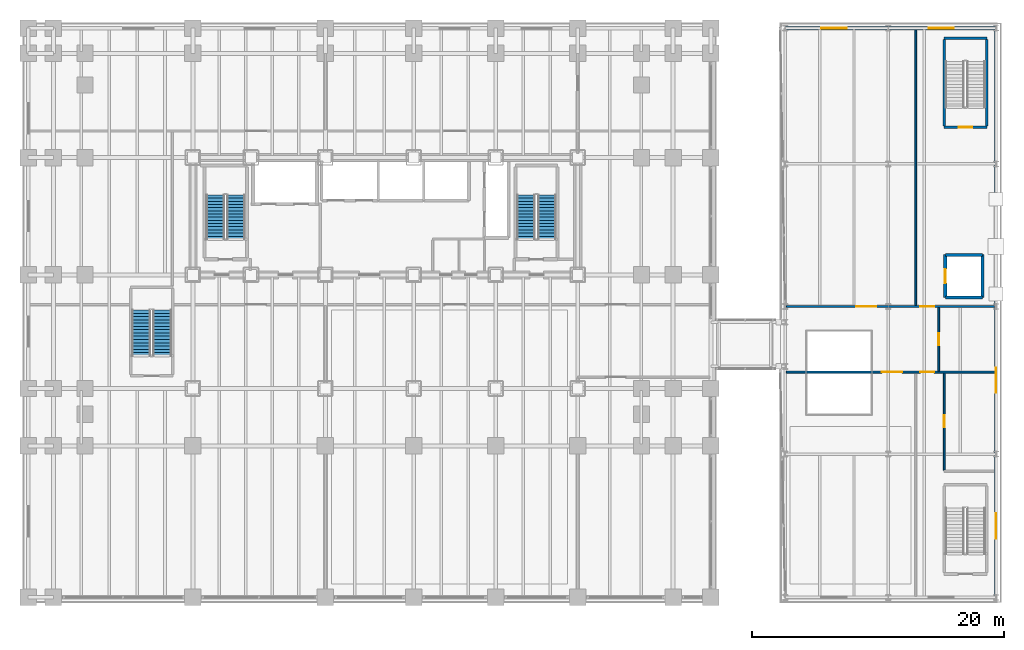
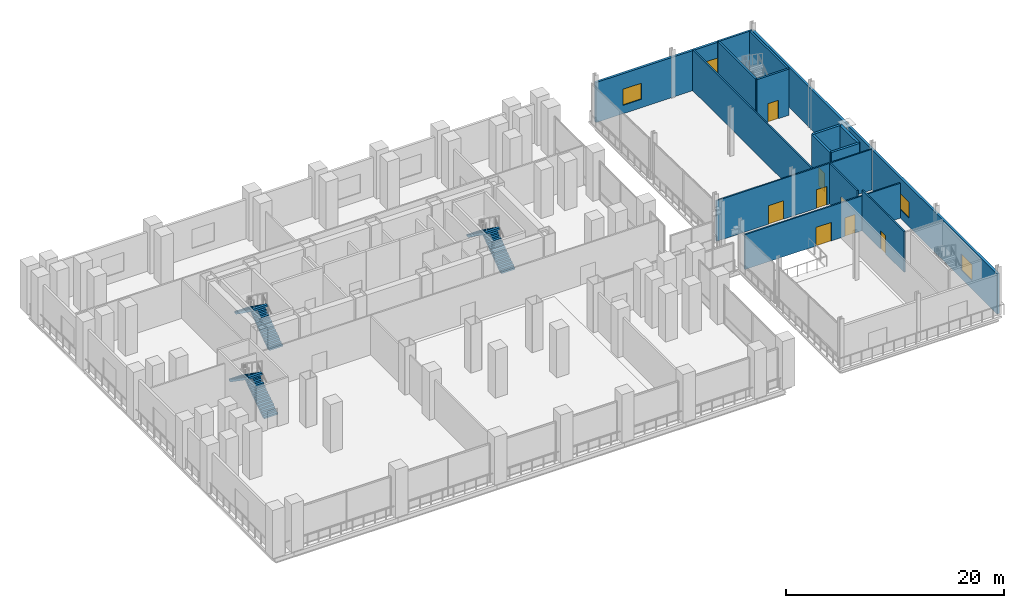
# One storey, part 24 of 31: 15 walls, 8 doors, 6 stair flights, 4 windows, 12 openings, 3 elements without a shape of their own.
"""IFC4 building model written with IfcOpenShell, lengths in metres."""

import ifcopenshell
import ifcopenshell.guid

model = None  # the IFC model being written
_history = None  # IfcOwnerHistory: only IFC2X3 demands one
_inside = {}  # id of a spatial element -> (the spatial element, [elements in it])
_under = {}  # id of a project, library or spatial element -> (it, [spatial elements below it])
_declared = {}  # id of a project -> (the project, [libraries it declares])
_typed = {}  # id of a type object -> (the type object, [elements of that type])
_made_of = {}  # id of a material, layer set ... -> (it, [elements and type objects made of it])


def new_model(schema):
    """Start an empty IFC model of exactly this schema.

    Asked for "IFC4X3", IfcOpenShell would pick the latest addendum, in which some entities
    have other attributes; the version numbers below select the first issue.
    IFC2X3 requires an IfcOwnerHistory on every rooted entity: one is made here for all.
    """
    global model, _history
    if schema == "IFC4X3":
        model = ifcopenshell.file(schema_version=(4, 3, 0, 0))
    else:
        model = ifcopenshell.file(schema=schema)
    _inside.clear()
    _under.clear()
    _declared.clear()
    _typed.clear()
    _made_of.clear()
    _history = None
    if model.schema == "IFC2X3":
        org = make("IfcOrganization", Name="unknown")
        user = make(
            "IfcPersonAndOrganization",
            ThePerson=make("IfcPerson", FamilyName="unknown"),
            TheOrganization=org,
        )
        app = make(
            "IfcApplication",
            ApplicationDeveloper=org,
            Version="unknown",
            ApplicationFullName="unknown",
            ApplicationIdentifier="unknown",
        )
        _history = make(
            "IfcOwnerHistory",
            OwningUser=user,
            OwningApplication=app,
            ChangeAction="ADDED",
            CreationDate=0,
        )
    return model


def make(cls, **values):
    """One entity of the class cls with the attributes given. An attribute that is None is left unset."""
    return model.create_entity(
        cls, **{name: value for name, value in values.items() if value is not None}
    )


def rooted(cls, **values):
    """An entity with a GlobalId (a new one), such as an element, a storey or a relation."""
    return make(cls, GlobalId=ifcopenshell.guid.new(), OwnerHistory=_history, **values)


def si_unit(unit_type, name, prefix=None):
    """IfcSIUnit, for example si_unit("LENGTHUNIT", "METRE", prefix="MILLI")."""
    return make("IfcSIUnit", UnitType=unit_type, Prefix=prefix, Name=name)


def assignment(units):
    """IfcUnitAssignment: the units of a project."""
    return None if units is None else make("IfcUnitAssignment", Units=units)


def point(xyz):
    """IfcCartesianPoint."""
    return None if xyz is None else make("IfcCartesianPoint", Coordinates=xyz)


def direction(xyz):
    """IfcDirection."""
    return None if xyz is None else make("IfcDirection", DirectionRatios=xyz)


def frame(location, z_axis=None, x_axis=None):
    """IfcAxis2Placement3D, a coordinate frame: its origin and axes. An axis left out is left unset."""
    return make(
        "IfcAxis2Placement3D",
        Location=point(location),
        Axis=direction(z_axis),
        RefDirection=direction(x_axis),
    )


def frame_2d(location, x_axis=None):
    """IfcAxis2Placement2D, a coordinate frame in the plane: its origin and x axis."""
    return make(
        "IfcAxis2Placement2D", Location=point(location), RefDirection=direction(x_axis)
    )


def origin():
    """The frame at (0, 0, 0) with its axes left unset."""
    return frame((0.0, 0.0, 0.0))


def place(relative_to, where):
    """IfcLocalPlacement: puts the frame where relative to a parent placement (None: the world)."""
    return make(
        "IfcLocalPlacement", PlacementRelTo=relative_to, RelativePlacement=where
    )


def context(
    kind, dimensions, precision=None, world=None, true_north=None, identifier=None
):
    """IfcGeometricRepresentationContext, for example the 3D "Model" context."""
    return make(
        "IfcGeometricRepresentationContext",
        ContextIdentifier=identifier,
        ContextType=kind,
        CoordinateSpaceDimension=dimensions,
        Precision=precision,
        WorldCoordinateSystem=world,
        TrueNorth=true_north,
    )


def subcontext(parent, identifier, kind, view, scale=None):
    """IfcGeometricRepresentationSubContext, for example "Body" below "Model"."""
    return make(
        "IfcGeometricRepresentationSubContext",
        ContextIdentifier=identifier,
        ContextType=kind,
        ParentContext=parent,
        TargetScale=scale,
        TargetView=view,
    )


def project(units=None, contexts=None):
    """IfcProject with its units and contexts."""
    return rooted(
        "IfcProject",
        Name="project",
        RepresentationContexts=contexts,
        UnitsInContext=assignment(units),
    )


def spatial(cls, under=None, at=None, **own):
    """A site, building, storey or space (cls), placed at a placement, below another one or the project."""
    s = rooted(cls, ObjectPlacement=at, **own)
    if under is not None:
        _under.setdefault(under.id(), (under, []))[1].append(s)
    return s


def polyline(points):
    """IfcPolyline through the points."""
    return make("IfcPolyline", Points=[point(p) for p in points])


def profile(cls, at=None, kind="AREA", **sizes):
    """A parametric profile (cls). Its sizes go by their IFC names, for example OverallWidth=200.0."""
    return make(cls, ProfileType=kind, Position=at, **sizes)


def rectangle(**sizes):
    """IfcRectangleProfileDef."""
    return profile("IfcRectangleProfileDef", **sizes)


def outline(outer, holes=None, kind="AREA"):
    """IfcArbitraryClosedProfileDef: a profile drawn as a closed curve; with holes, ...WithVoids."""
    if holes is None:
        return make("IfcArbitraryClosedProfileDef", ProfileType=kind, OuterCurve=outer)
    return make(
        "IfcArbitraryProfileDefWithVoids",
        ProfileType=kind,
        OuterCurve=outer,
        InnerCurves=holes,
    )


def extrude(swept, where, along, depth):
    """IfcExtrudedAreaSolid: the profile swept, set in the frame where, extruded along a direction by depth."""
    return make(
        "IfcExtrudedAreaSolid",
        SweptArea=swept,
        Position=where,
        ExtrudedDirection=direction(along),
        Depth=depth,
    )


def shape(context_of_items, identifier, shape_type, items):
    """IfcShapeRepresentation: the items that make up one representation, for example the "Body"."""
    return make(
        "IfcShapeRepresentation",
        ContextOfItems=context_of_items,
        RepresentationIdentifier=identifier,
        RepresentationType=shape_type,
        Items=items,
    )


def material(Name=None, Category=None):
    """IfcMaterial."""
    return make("IfcMaterial", Name=Name, Category=Category)


def layer(
    of_material, thickness, ventilated=None, Name=None, Category=None, Priority=None
):
    """IfcMaterialLayer: one layer of a wall or slab, of a material (None: an air gap)."""
    return make(
        "IfcMaterialLayer",
        Material=of_material,
        LayerThickness=thickness,
        IsVentilated=ventilated,
        Name=Name,
        Category=Category,
        Priority=Priority,
    )


def layer_set(layers, Name=None):
    """IfcMaterialLayerSet."""
    return make("IfcMaterialLayerSet", MaterialLayers=layers, LayerSetName=Name)


def made_of(thing, what):
    """Note that an element or type object is made of a material, layer set ...; save() writes the relation."""
    if what is not None:
        _made_of.setdefault(what.id(), (what, []))[1].append(thing)
    return thing


def type_object(cls, material=None, **own):
    """A type object (cls), such as IfcWallType, which elements share."""
    return made_of(rooted(cls, **own), material)


def element(
    cls,
    number,
    at=None,
    inside=None,
    cuts=None,
    type_object=None,
    material=None,
    context=None,
    identifier="Body",
    shape_type=None,
    held_by="IfcProductDefinitionShape",
    body=None,
    shapes=None,
    **own,
):
    """One element of the class cls, such as IfcWall. Its Tag is "e" and its number.

    at: its placement. inside: the storey or other place that contains it. cuts: it is an
    opening in that element (IfcRelVoidsElement). A single representation is given by context,
    identifier, shape_type and body (its items); several are given by shapes. held_by: the class
    of the entity that holds the representations. save() writes the other relations.
    """
    e = rooted(cls, Tag="e%d" % number, ObjectPlacement=at, **own)
    if body is not None:
        shapes = [shape(context, identifier, shape_type, body)]
    if shapes is not None:
        e.Representation = make(held_by, Representations=shapes)
    if inside is not None:
        _inside.setdefault(inside.id(), (inside, []))[1].append(e)
    if cuts is not None:
        rooted(
            "IfcRelVoidsElement", RelatingBuildingElement=cuts, RelatedOpeningElement=e
        )
    if type_object is not None:
        _typed.setdefault(type_object.id(), (type_object, []))[1].append(e)
    return made_of(e, material)


def fill(opening, filler):
    """IfcRelFillsElement: the door or window that sits in an opening."""
    return rooted(
        "IfcRelFillsElement",
        RelatingOpeningElement=opening,
        RelatedBuildingElement=filler,
    )


def aggregate(whole, parts):
    """IfcRelAggregates: a whole, such as a stair, and the parts it consists of."""
    return rooted("IfcRelAggregates", RelatingObject=whole, RelatedObjects=parts)


def save(model, path):
    """Write the relations noted so far, then the file.

    IfcRelAggregates (storeys below a building ...), IfcRelContainedInSpatialStructure (elements
    in a storey), IfcRelDefinesByType, IfcRelAssociatesMaterial and IfcRelDeclares: one each for
    every whole, place, type object, material and project.
    """
    for whole, parts in _under.values():
        aggregate(whole, parts)
    for where, things in _inside.values():
        rooted(
            "IfcRelContainedInSpatialStructure",
            RelatedElements=things,
            RelatingStructure=where,
        )
    for kind, things in _typed.values():
        rooted("IfcRelDefinesByType", RelatedObjects=things, RelatingType=kind)
    for what, things in _made_of.values():
        rooted("IfcRelAssociatesMaterial", RelatedObjects=things, RelatingMaterial=what)
    for by, libraries in _declared.values():
        rooted("IfcRelDeclares", RelatingContext=by, RelatedDefinitions=libraries)
    model.write(path)


model = new_model("IFC4")

# Units and contexts
model_context = context("Model", 3, precision=1e-05, world=origin(), true_north=direction((0.0, 1.0)))
body_context = subcontext(model_context, "Body", "Model", "MODEL_VIEW")
ifc_project = project(units=[si_unit("LENGTHUNIT", "METRE"), si_unit("AREAUNIT", "SQUARE_METRE"), si_unit("VOLUMEUNIT", "CUBIC_METRE"), si_unit("PLANEANGLEUNIT", "RADIAN"), si_unit("MASSUNIT", "GRAM", prefix="KILO")], contexts=[model_context])

# Site, building, storey
site_placement = place(None, origin())
site = spatial("IfcSite", under=ifc_project, at=site_placement, CompositionType="ELEMENT")
building_placement = place(site_placement, origin())
building = spatial("IfcBuilding", under=site, at=building_placement, Name="Noeulbin Bourse Tower", CompositionType="ELEMENT")
storey_placement = place(building_placement, frame((0.0, 0.0, 11.199951171875)))
storey = spatial("IfcBuildingStorey", under=building, at=storey_placement, Name="L03", CompositionType="ELEMENT", Elevation=11.199951171875)

# Wall, openings, windows
ifc_material_1 = material(Name="Precast Concrete C40/50", Category="concrete")
ifc_layer_1 = layer(ifc_material_1, 0.25)
ifc_layer_set_1 = layer_set([ifc_layer_1], Name="Precast Concrete C40/50")
wall_type_1 = type_object("IfcWallType", Name="WAL-EXT-250", PredefinedType="STANDARD", material=ifc_layer_set_1)
wall_1_placement = place(storey_placement, frame((60.449951171875, 48.550048828125, 0.0), z_axis=(0.0, 0.0, 1.0), x_axis=(1.0, 0.0, 0.0)))
wall_1 = element("IfcWall", 1, at=wall_1_placement, inside=storey, type_object=wall_type_1, Name="Market Hall North Wall L03", PredefinedType="STANDARD", context=body_context, shape_type="SweptSolid", body=[
    extrude(rectangle(XDim=16.699951171875, YDim=0.25, at=frame_2d((8.35009765625, 0.0))), origin(), (0.0, 0.0, 1.0), 4.5),
])
opening_1_placement = place(wall_1_placement, frame((2.85009765625, 0.0, 0.949951171875)))
opening_1 = element("IfcOpeningElement", 2, at=opening_1_placement, cuts=wall_1, Name="Opening W-02", PredefinedType="OPENING", context=body_context, shape_type="SweptSolid", body=[
    extrude(rectangle(XDim=2.0, YDim=1.800048828125, at=frame_2d((1.0, 0.89990234375))), frame((0.0, 0.135009765625, 0.0), z_axis=(0.0, -1.0, 0.0), x_axis=(1.0, 0.0, 0.0)), (0.0, 0.0, 1.0), 0.27001953125),
])
opening_2_placement = place(wall_1_placement, frame((11.35009765625, 0.0, 0.949951171875)))
opening_2 = element("IfcOpeningElement", 3, at=opening_2_placement, cuts=wall_1, Name="Opening W-02", PredefinedType="OPENING", context=body_context, shape_type="SweptSolid", body=[
    extrude(rectangle(XDim=2.0, YDim=1.800048828125, at=frame_2d((1.0, 0.89990234375))), frame((0.0, 0.135009765625, 0.0), z_axis=(0.0, -1.0, 0.0), x_axis=(1.0, 0.0, 0.0)), (0.0, 0.0, 1.0), 0.27001953125),
])
ifc_material_2 = material(Name="Thermally Broken Aluminium Triple Glazing", Category="aluminium")
window_type = type_object("IfcWindowType", Name="WIN-MKT-2000x1800", PartitioningType="DOUBLE_PANEL_VERTICAL", PredefinedType="WINDOW", material=ifc_material_2)
window_1_placement = place(opening_1_placement, origin())
window_1 = element("IfcWindow", 4, at=window_1_placement, inside=storey, type_object=window_type, Name="Market North Window L03-1", OverallHeight=1.800048828125, OverallWidth=2.0, PartitioningType="SINGLE_PANEL", PredefinedType="WINDOW", context=body_context, shape_type="SweptSolid", body=[
    extrude(rectangle(XDim=2.0, YDim=1.800048828125, at=frame_2d((1.0, 0.89990234375))), frame((0.0, 0.030029296875, 0.0), z_axis=(0.0, -1.0, 0.0), x_axis=(1.0, 0.0, 0.0)), (0.0, 0.0, 1.0), 0.06005859375),
])
fill(opening_1, window_1)
window_2_placement = place(opening_2_placement, origin())
window_2 = element("IfcWindow", 5, at=window_2_placement, inside=storey, type_object=window_type, Name="Market North Window L03-2", OverallHeight=1.800048828125, OverallWidth=2.0, PartitioningType="SINGLE_PANEL", PredefinedType="WINDOW", context=body_context, shape_type="SweptSolid", body=[
    extrude(rectangle(XDim=2.0, YDim=1.800048828125, at=frame_2d((1.0, 0.89990234375))), frame((0.0, 0.030029296875, 0.0), z_axis=(0.0, -1.0, 0.0), x_axis=(1.0, 0.0, 0.0)), (0.0, 0.0, 1.0), 0.06005859375),
])
fill(opening_2, window_2)

wall_2_placement = place(storey_placement, frame((77.14990234375, 3.449951171875, 0.0), z_axis=(0.0, 0.0, 1.0), x_axis=(0.0, 1.0, 0.0)))
wall_2 = element("IfcWall", 6, at=wall_2_placement, inside=storey, type_object=wall_type_1, Name="Market Hall East Wall L03", PredefinedType="STANDARD", context=body_context, shape_type="SweptSolid", body=[
    extrude(rectangle(XDim=45.10009765625, YDim=0.25, at=frame_2d((22.550048828125, 0.0))), origin(), (0.0, 0.0, 1.0), 4.5),
])
opening_3_placement = place(wall_2_placement, frame((4.64990234375, 0.0, 0.949951171875)))
opening_3 = element("IfcOpeningElement", 7, at=opening_3_placement, cuts=wall_2, Name="Opening W-02", PredefinedType="OPENING", context=body_context, shape_type="SweptSolid", body=[
    extrude(rectangle(XDim=2.0, YDim=1.800048828125, at=frame_2d((1.0, 0.89990234375))), frame((0.0, 0.135009765625, 0.0), z_axis=(0.0, -1.0, 0.0), x_axis=(1.0, 0.0, 0.0)), (0.0, 0.0, 1.0), 0.27001953125),
])
opening_4_placement = place(wall_2_placement, frame((16.199951171875, 0.0, 0.949951171875)))
opening_4 = element("IfcOpeningElement", 8, at=opening_4_placement, cuts=wall_2, Name="Opening W-02", PredefinedType="OPENING", context=body_context, shape_type="SweptSolid", body=[
    extrude(rectangle(XDim=2.0, YDim=1.800048828125, at=frame_2d((1.0, 0.89990234375))), frame((0.0, 0.135009765625, 0.0), z_axis=(0.0, -1.0, 0.0), x_axis=(1.0, 0.0, 0.0)), (0.0, 0.0, 1.0), 0.27001953125),
])
window_3_placement = place(opening_3_placement, origin())
window_3 = element("IfcWindow", 9, at=window_3_placement, inside=storey, type_object=window_type, Name="Market East Window L03-1", OverallHeight=1.800048828125, OverallWidth=2.0, PartitioningType="SINGLE_PANEL", PredefinedType="WINDOW", context=body_context, shape_type="SweptSolid", body=[
    extrude(rectangle(XDim=2.0, YDim=1.800048828125, at=frame_2d((1.0, 0.89990234375))), frame((0.0, 0.030029296875, 0.0), z_axis=(0.0, -1.0, 0.0), x_axis=(1.0, 0.0, 0.0)), (0.0, 0.0, 1.0), 0.06005859375),
])
fill(opening_3, window_3)
window_4_placement = place(opening_4_placement, origin())
window_4 = element("IfcWindow", 10, at=window_4_placement, inside=storey, type_object=window_type, Name="Market East Window L03-2", OverallHeight=1.800048828125, OverallWidth=2.0, PartitioningType="SINGLE_PANEL", PredefinedType="WINDOW", context=body_context, shape_type="SweptSolid", body=[
    extrude(rectangle(XDim=2.0, YDim=1.800048828125, at=frame_2d((1.0, 0.89990234375))), frame((0.0, 0.030029296875, 0.0), z_axis=(0.0, -1.0, 0.0), x_axis=(1.0, 0.0, 0.0)), (0.0, 0.0, 1.0), 0.06005859375),
])
fill(opening_4, window_4)

# Wall, opening, door
ifc_material_3 = material(Name="Concrete C40/50", Category="concrete")
ifc_layer_2 = layer(ifc_material_3, 0.199951171875)
ifc_layer_set_2 = layer_set([ifc_layer_2], Name="Concrete C40/50")
wall_type_2 = type_object("IfcWallType", Name="WAL-FIRE-200", PredefinedType="STANDARD", material=ifc_layer_set_2)
wall_3_placement = place(storey_placement, frame((73.02001953125, 40.699951171875, 0.0), z_axis=(0.0, 0.0, 1.0), x_axis=(1.0, 0.0, 0.0)))
wall_3 = element("IfcWall", 11, at=wall_3_placement, inside=storey, type_object=wall_type_2, Name="Stair MST2 South Wall L03", PredefinedType="STANDARD", context=body_context, shape_type="SweptSolid", body=[
    extrude(rectangle(XDim=3.39990234375, YDim=0.199951171875, at=frame_2d((1.699951171875, 0.0))), origin(), (0.0, 0.0, 1.0), 5.179931640625),
])
opening_5_placement = place(wall_3_placement, frame((1.14990234375, 0.0, 0.0)))
opening_5 = element("IfcOpeningElement", 12, at=opening_5_placement, cuts=wall_3, Name="Opening FD-11", PredefinedType="OPENING", context=body_context, shape_type="SweptSolid", body=[
    extrude(rectangle(XDim=1.10009765625, YDim=2.080078125, at=frame_2d((0.550048828125, 1.0400390625))), frame((0.0, 0.10986328125, 0.0), z_axis=(0.0, -1.0, 0.0), x_axis=(1.0, 0.0, 0.0)), (0.0, 0.0, 1.0), 0.219970703125),
])
ifc_material_4 = material(Name="Fire-Rated Insulated Steel", Category="steel")
door_type_1 = type_object("IfcDoorType", Name="DR-FD60-1100", OperationType="SINGLE_SWING_LEFT", PredefinedType="DOOR", material=ifc_material_4)
door_1_placement = place(opening_5_placement, origin())
door_1 = element("IfcDoor", 13, at=door_1_placement, inside=storey, type_object=door_type_1, Name="Escape Stair Door MST2-L03", OperationType="SINGLE_SWING_RIGHT", OverallHeight=2.080078125, OverallWidth=1.10009765625, PredefinedType="DOOR", context=body_context, shape_type="SweptSolid", body=[
    extrude(rectangle(XDim=1.10009765625, YDim=2.080078125, at=frame_2d((0.550048828125, 1.0400390625))), frame((0.0, 0.02490234375, 0.0), z_axis=(0.0, -1.0, 0.0), x_axis=(1.0, 0.0, 0.0)), (0.0, 0.0, 1.0), 0.050048828125),
])
fill(opening_5, door_1)

# Walls
wall_4_placement = place(storey_placement, frame((73.02001953125, 47.760009765625, 0.0), z_axis=(0.0, 0.0, 1.0), x_axis=(1.0, 0.0, 0.0)))
element("IfcWall", 14, at=wall_4_placement, inside=storey, type_object=wall_type_2, Name="Stair MST2 North Wall L03", PredefinedType="STANDARD", context=body_context, shape_type="SweptSolid", body=[
    extrude(rectangle(XDim=3.39990234375, YDim=0.199951171875, at=frame_2d((1.699951171875, 0.0))), origin(), (0.0, 0.0, 1.0), 5.179931640625),
])
for number, where, z_axis, x_axis, name in (
    (15, (73.0400390625, 40.800048828125, 0.0), (0.0, 0.0, 1.0), (0.0, 1.0, 0.0), "Stair MST2 West Wall L03"),
    (16, (76.39990234375, 40.800048828125, 0.0), (0.0, 0.0, 1.0), (0.0, 1.0, 0.0), "Stair MST2 East Wall L03"),
):
    element("IfcWall", number, at=place(storey_placement, frame(where, z_axis=z_axis, x_axis=x_axis)), inside=storey, type_object=wall_type_2, Name=name, PredefinedType="STANDARD", context=body_context, shape_type="SweptSolid", body=[
        extrude(rectangle(XDim=6.85986328125, YDim=0.199951171875, at=frame_2d((3.429931640625, 0.0))), origin(), (0.0, 0.0, 1.0), 5.179931640625),
    ])

# Wall, openings, doors
ifc_material_5 = material(Name="Steel Stud Acoustic Gypsum Board", Category="steel")
ifc_layer_3 = layer(ifc_material_5, 0.14990234375)
ifc_layer_set_3 = layer_set([ifc_layer_3], Name="Steel Stud Acoustic Gypsum Board")
wall_type_3 = type_object("IfcWallType", Name="WAL-PRT-150", PredefinedType="PARTITIONING", material=ifc_layer_set_3)
wall_5_placement = place(storey_placement, frame((60.530029296875, 21.300048828125, 0.0), z_axis=(0.0, 0.0, 1.0), x_axis=(1.0, 0.0, 0.0)))
wall_5 = element("IfcWall", 17, at=wall_5_placement, inside=storey, type_object=wall_type_3, Name="Interior Partition Wall L03-04", PredefinedType="PARTITIONING", context=body_context, shape_type="SweptSolid", body=[
    extrude(rectangle(XDim=16.489990234375, YDim=0.14990234375, at=frame_2d((8.2451171875, 0.0))), origin(), (0.0, 0.0, 1.0), 3.91015625),
])
opening_6_placement = place(wall_5_placement, frame((7.570068359375, 0.0, 0.0)))
opening_6 = element("IfcOpeningElement", 18, at=opening_6_placement, cuts=wall_5, Name="Opening ID-16", PredefinedType="OPENING", context=body_context, shape_type="SweptSolid", body=[
    extrude(rectangle(XDim=1.60009765625, YDim=2.080078125, at=frame_2d((0.800048828125, 1.0400390625))), frame((0.0, 0.0849609375, 0.0), z_axis=(0.0, -1.0, 0.0), x_axis=(1.0, 0.0, 0.0)), (0.0, 0.0, 1.0), 0.169921875),
])
opening_7_placement = place(wall_5_placement, frame((10.60009765625, 0.0, 0.0)))
opening_7 = element("IfcOpeningElement", 19, at=opening_7_placement, cuts=wall_5, Name="Opening FD-11", PredefinedType="OPENING", context=body_context, shape_type="SweptSolid", body=[
    extrude(rectangle(XDim=1.10009765625, YDim=2.080078125, at=frame_2d((0.550048828125, 1.0400390625))), frame((0.0, 0.0849609375, 0.0), z_axis=(0.0, -1.0, 0.0), x_axis=(1.0, 0.0, 0.0)), (0.0, 0.0, 1.0), 0.169921875),
])
ifc_material_6 = material(Name="Acoustic Glazed Aluminium", Category="aluminium")
door_type_2 = type_object("IfcDoorType", Name="DR-DBL-1600", OperationType="DOUBLE_DOOR_SINGLE_SWING", PredefinedType="DOOR", material=ifc_material_6)
door_2_placement = place(opening_6_placement, origin())
door_2 = element("IfcDoor", 20, at=door_2_placement, inside=storey, type_object=door_type_2, Name="Interior Door L03-08", OperationType="DOUBLE_DOOR_SINGLE_SWING", OverallHeight=2.080078125, OverallWidth=1.60009765625, PredefinedType="DOOR", context=body_context, shape_type="SweptSolid", body=[
    extrude(rectangle(XDim=1.60009765625, YDim=2.080078125, at=frame_2d((0.800048828125, 1.0400390625))), frame((0.0, 0.02490234375, 0.0), z_axis=(0.0, -1.0, 0.0), x_axis=(1.0, 0.0, 0.0)), (0.0, 0.0, 1.0), 0.050048828125),
])
fill(opening_6, door_2)
door_3_placement = place(opening_7_placement, origin())
door_3 = element("IfcDoor", 21, at=door_3_placement, inside=storey, type_object=door_type_1, Name="Market South Stair Corridor Door L03", OperationType="SINGLE_SWING_LEFT", OverallHeight=2.080078125, OverallWidth=1.10009765625, PredefinedType="DOOR", context=body_context, shape_type="SweptSolid", body=[
    extrude(rectangle(XDim=1.10009765625, YDim=2.080078125, at=frame_2d((0.550048828125, 1.0400390625))), frame((0.0, 0.02490234375, 0.0), z_axis=(0.0, -1.0, 0.0), x_axis=(1.0, 0.0, 0.0)), (0.0, 0.0, 1.0), 0.050048828125),
])
fill(opening_7, door_3)

wall_6_placement = place(storey_placement, frame((60.530029296875, 26.5, 0.0), z_axis=(0.0, 0.0, 1.0), x_axis=(1.0, 0.0, 0.0)))
wall_6 = element("IfcWall", 22, at=wall_6_placement, inside=storey, type_object=wall_type_3, Name="Interior Partition Wall L03-05", PredefinedType="PARTITIONING", context=body_context, shape_type="SweptSolid", body=[
    extrude(rectangle(XDim=16.489990234375, YDim=0.14990234375, at=frame_2d((8.2451171875, 0.0))), origin(), (0.0, 0.0, 1.0), 4.56005859375),
])
opening_8_placement = place(wall_6_placement, frame((5.52001953125, 0.0, 0.0)))
opening_8 = element("IfcOpeningElement", 23, at=opening_8_placement, cuts=wall_6, Name="Opening ID-16", PredefinedType="OPENING", context=body_context, shape_type="SweptSolid", body=[
    extrude(rectangle(XDim=1.60009765625, YDim=2.080078125, at=frame_2d((0.800048828125, 1.0400390625))), frame((0.0, 0.0849609375, 0.0), z_axis=(0.0, -1.0, 0.0), x_axis=(1.0, 0.0, 0.0)), (0.0, 0.0, 1.0), 0.169921875),
])
opening_9_placement = place(wall_6_placement, frame((10.60009765625, 0.0, 0.0)))
opening_9 = element("IfcOpeningElement", 24, at=opening_9_placement, cuts=wall_6, Name="Opening FD-11", PredefinedType="OPENING", context=body_context, shape_type="SweptSolid", body=[
    extrude(rectangle(XDim=1.10009765625, YDim=2.080078125, at=frame_2d((0.550048828125, 1.0400390625))), frame((0.0, 0.0849609375, 0.0), z_axis=(0.0, -1.0, 0.0), x_axis=(1.0, 0.0, 0.0)), (0.0, 0.0, 1.0), 0.169921875),
])
door_4_placement = place(opening_8_placement, origin())
door_4 = element("IfcDoor", 25, at=door_4_placement, inside=storey, type_object=door_type_2, Name="Interior Door L03-09", OperationType="DOUBLE_DOOR_SINGLE_SWING", OverallHeight=2.080078125, OverallWidth=1.60009765625, PredefinedType="DOOR", context=body_context, shape_type="SweptSolid", body=[
    extrude(rectangle(XDim=1.60009765625, YDim=2.080078125, at=frame_2d((0.800048828125, 1.0400390625))), frame((0.0, 0.02490234375, 0.0), z_axis=(0.0, -1.0, 0.0), x_axis=(1.0, 0.0, 0.0)), (0.0, 0.0, 1.0), 0.050048828125),
])
fill(opening_8, door_4)
door_5_placement = place(opening_9_placement, origin())
door_5 = element("IfcDoor", 26, at=door_5_placement, inside=storey, type_object=door_type_1, Name="Market North Stair Corridor Door L03", OperationType="SINGLE_SWING_RIGHT", OverallHeight=2.080078125, OverallWidth=1.10009765625, PredefinedType="DOOR", context=body_context, shape_type="SweptSolid", body=[
    extrude(rectangle(XDim=1.10009765625, YDim=2.080078125, at=frame_2d((0.550048828125, 1.0400390625))), frame((0.0, 0.02490234375, 0.0), z_axis=(0.0, -1.0, 0.0), x_axis=(1.0, 0.0, 0.0)), (0.0, 0.0, 1.0), 0.050048828125),
])
fill(opening_9, door_5)

# Wall, opening, door
wall_7_placement = place(storey_placement, frame((72.60009765625, 21.385009765625, 0.0), z_axis=(0.0, 0.0, 1.0), x_axis=(0.0, 1.0, 0.0)))
wall_7 = element("IfcWall", 27, at=wall_7_placement, inside=storey, type_object=wall_type_3, Name="Interior Partition Wall L03-15", PredefinedType="PARTITIONING", context=body_context, shape_type="SweptSolid", body=[
    extrude(rectangle(XDim=5.030029296875, YDim=0.14990234375, at=frame_2d((2.51513671875, 0.0))), origin(), (0.0, 0.0, 1.0), 4.56005859375),
])
opening_10_placement = place(wall_7_placement, frame((2.0400390625, 0.0, 0.0)))
opening_10 = element("IfcOpeningElement", 28, at=opening_10_placement, cuts=wall_7, Name="Opening ID-09", PredefinedType="OPENING", context=body_context, shape_type="SweptSolid", body=[
    extrude(rectangle(XDim=0.949951171875, YDim=2.080078125, at=frame_2d((0.47509765625, 1.0400390625))), frame((0.0, 0.0849609375, 0.0), z_axis=(0.0, -1.0, 0.0), x_axis=(1.0, 0.0, 0.0)), (0.0, 0.0, 1.0), 0.169921875),
])
ifc_material_7 = material(Name="Acoustic Solid-Core Timber", Category="wood")
door_type_3 = type_object("IfcDoorType", Name="DR-SINGLE-950", OperationType="SINGLE_SWING_LEFT", PredefinedType="DOOR", material=ifc_material_7)
door_6_placement = place(opening_10_placement, origin())
door_6 = element("IfcDoor", 29, at=door_6_placement, inside=storey, type_object=door_type_3, Name="Market Accessible Washroom Door L03", OperationType="SINGLE_SWING_LEFT", OverallHeight=2.080078125, OverallWidth=0.949951171875, PredefinedType="DOOR", context=body_context, shape_type="SweptSolid", body=[
    extrude(rectangle(XDim=0.949951171875, YDim=2.080078125, at=frame_2d((0.47509765625, 1.0400390625))), frame((0.0, 0.02490234375, 0.0), z_axis=(0.0, -1.0, 0.0), x_axis=(1.0, 0.0, 0.0)), (0.0, 0.0, 1.0), 0.050048828125),
])
fill(opening_10, door_6)

# Wall
wall_8_placement = place(storey_placement, frame((70.780029296875, 26.5849609375, 0.0), z_axis=(0.0, 0.0, 1.0), x_axis=(0.0, 1.0, 0.0)))
element("IfcWall", 30, at=wall_8_placement, inside=storey, type_object=wall_type_3, Name="Interior Partition Wall L03-17", PredefinedType="PARTITIONING", context=body_context, shape_type="SweptSolid", body=[
    extrude(rectangle(XDim=21.8349609375, YDim=0.14990234375, at=frame_2d((10.91748046875, 0.0))), origin(), (0.0, 0.0, 1.0), 4.56005859375),
])

# Wall, opening, door
wall_9_placement = place(storey_placement, frame((73.0400390625, 13.534912109375, 0.0), z_axis=(0.0, 0.0, 1.0), x_axis=(0.0, 1.0, 0.0)))
wall_9 = element("IfcWall", 31, at=wall_9_placement, inside=storey, type_object=wall_type_3, Name="Interior Partition Wall L03-18", PredefinedType="PARTITIONING", context=body_context, shape_type="SweptSolid", body=[
    extrude(rectangle(XDim=7.68017578125, YDim=0.14990234375, at=frame_2d((3.840087890625, 0.0))), origin(), (0.0, 0.0, 1.0), 4.56005859375),
])
opening_11_placement = place(wall_9_placement, frame((3.389892578125, 0.0, 0.0)))
opening_11 = element("IfcOpeningElement", 32, at=opening_11_placement, cuts=wall_9, Name="Opening ID-09", PredefinedType="OPENING", context=body_context, shape_type="SweptSolid", body=[
    extrude(rectangle(XDim=0.949951171875, YDim=2.080078125, at=frame_2d((0.47509765625, 1.0400390625))), frame((0.0, 0.0849609375, 0.0), z_axis=(0.0, -1.0, 0.0), x_axis=(1.0, 0.0, 0.0)), (0.0, 0.0, 1.0), 0.169921875),
])
door_7_placement = place(opening_11_placement, origin())
door_7 = element("IfcDoor", 33, at=door_7_placement, inside=storey, type_object=door_type_3, Name="Market Mezzanine Gallery Door L03", OperationType="SINGLE_SWING_RIGHT", OverallHeight=2.080078125, OverallWidth=0.949951171875, PredefinedType="DOOR", context=body_context, shape_type="SweptSolid", body=[
    extrude(rectangle(XDim=0.949951171875, YDim=2.080078125, at=frame_2d((0.47509765625, 1.0400390625))), frame((0.0, 0.02490234375, 0.0), z_axis=(0.0, -1.0, 0.0), x_axis=(1.0, 0.0, 0.0)), (0.0, 0.0, 1.0), 0.050048828125),
])
fill(opening_11, door_7)

ifc_layer_4 = layer(ifc_material_3, 0.25)
ifc_layer_set_4 = layer_set([ifc_layer_4], Name="Concrete C40/50")
wall_type_4 = type_object("IfcWallType", Name="WAL-SHFT-250", PredefinedType="STANDARD", material=ifc_layer_set_4)
wall_10_placement = place(storey_placement, frame((73.1201171875, 27.199951171875, 0.0), z_axis=(0.0, 0.0, 1.0), x_axis=(0.0, 1.0, 0.0)))
wall_10 = element("IfcWall", 34, at=wall_10_placement, inside=storey, type_object=wall_type_4, Name="Market Lift Shaft Front Wall L03", PredefinedType="STANDARD", context=body_context, shape_type="SweptSolid", body=[
    extrude(rectangle(XDim=3.400146484375, YDim=0.25, at=frame_2d((1.7001953125, 0.0))), origin(), (0.0, 0.0, 1.0), 5.150146484375),
])
opening_12_placement = place(wall_10_placement, frame((1.14990234375, 0.0, 0.0)))
opening_12 = element("IfcOpeningElement", 35, at=opening_12_placement, cuts=wall_10, Name="Opening LD-11", PredefinedType="OPENING", context=body_context, shape_type="SweptSolid", body=[
    extrude(rectangle(XDim=1.10009765625, YDim=2.080078125, at=frame_2d((0.550048828125, 1.0400390625))), frame((0.0, 0.135009765625, 0.0), z_axis=(0.0, -1.0, 0.0), x_axis=(1.0, 0.0, 0.0)), (0.0, 0.0, 1.0), 0.27001953125),
])
ifc_material_8 = material(Name="Brushed Stainless Steel 316", Category="steel")
door_type_4 = type_object("IfcDoorType", Name="DR-LIFT-1100", OperationType="SLIDING_TO_LEFT", PredefinedType="DOOR", material=ifc_material_8)
door_8_placement = place(opening_12_placement, origin())
door_8 = element("IfcDoor", 36, at=door_8_placement, inside=storey, type_object=door_type_4, Name="Lift Landing Door LD-ML-1-L03", OperationType="SLIDING_TO_LEFT", OverallHeight=2.080078125, OverallWidth=1.10009765625, PredefinedType="DOOR", context=body_context, shape_type="SweptSolid", body=[
    extrude(rectangle(XDim=1.10009765625, YDim=2.080078125, at=frame_2d((0.550048828125, 1.0400390625))), frame((0.0, 0.02490234375, 0.0), z_axis=(0.0, -1.0, 0.0), x_axis=(1.0, 0.0, 0.0)), (0.0, 0.0, 1.0), 0.050048828125),
])
fill(opening_12, door_8)

# Walls
wall_11_placement = place(storey_placement, frame((76.080078125, 27.199951171875, 0.0), z_axis=(0.0, 0.0, 1.0), x_axis=(0.0, 1.0, 0.0)))
element("IfcWall", 37, at=wall_11_placement, inside=storey, type_object=wall_type_4, Name="Market Lift Shaft Back Wall L03", PredefinedType="STANDARD", context=body_context, shape_type="SweptSolid", body=[
    extrude(rectangle(XDim=3.400146484375, YDim=0.25, at=frame_2d((1.7001953125, 0.0))), origin(), (0.0, 0.0, 1.0), 5.150146484375),
])
for number, where, z_axis, x_axis, name in (
    (38, (73.1201171875, 27.219970703125, 0.0), (0.0, 0.0, 1.0), (1.0, 0.0, 0.0), "Market Lift Shaft South Wall L03"),
    (39, (73.1201171875, 30.580078125, 0.0), (0.0, 0.0, 1.0), (1.0, 0.0, 0.0), "Market Lift Shaft North Wall L03"),
):
    element("IfcWall", number, at=place(storey_placement, frame(where, z_axis=z_axis, x_axis=x_axis)), inside=storey, type_object=wall_type_4, Name=name, PredefinedType="STANDARD", context=body_context, shape_type="SweptSolid", body=[
        extrude(rectangle(XDim=2.9599609375, YDim=0.25, at=frame_2d((1.47998046875, 0.0))), origin(), (0.0, 0.0, 1.0), 5.150146484375),
    ])

# Stair, stair flights
stair_type_1 = type_object("IfcStairType", Name="STR-AUX-1620", PredefinedType="HALF_TURN_STAIR", material=ifc_material_3)
stair_1_placement = place(storey_placement, origin())
stair_1 = element("IfcStair", 40, at=stair_1_placement, inside=storey, type_object=stair_type_1, Name="L03 ST-P1", PredefinedType="HALF_TURN_STAIR")
stair_flight_type_1 = type_object("IfcStairFlightType", Name="SFL-AUX-1620", PredefinedType="STRAIGHT", material=ifc_material_3)
stair_flight_1_placement = place(storey_placement, frame((11.070068359375, 22.580078125, 0.0), z_axis=(0.0, 0.0, 1.0), x_axis=(0.0, 1.0, 0.0)))
stair_flight_1 = element("IfcStairFlight", 41, at=stair_flight_1_placement, type_object=stair_flight_type_1, Name="ST-P1 flight 1", NumberOfRisers=15, NumberOfTreads=14, PredefinedType="STRAIGHT", RiserHeight=0.18, TreadLength=0.26, context=body_context, shape_type="SweptSolid", body=[
    extrude(outline(polyline([(0.0, 0.0), (0.0, 0.179931640625), (0.260009765625, 0.179931640625), (0.260009765625, 0.360107421875), (0.52001953125, 0.360107421875), (0.52001953125, 0.5400390625), (0.780029296875, 0.5400390625), (0.780029296875, 0.719970703125), (1.0400390625, 0.719970703125), (1.0400390625, 0.89990234375), (1.300048828125, 0.89990234375), (1.300048828125, 1.080078125), (1.56005859375, 1.080078125), (1.56005859375, 1.260009765625), (1.820068359375, 1.260009765625), (1.820068359375, 1.43994140625), (2.080078125, 1.43994140625), (2.080078125, 1.6201171875), (2.340087890625, 1.6201171875), (2.340087890625, 1.800048828125), (2.60009765625, 1.800048828125), (2.60009765625, 1.97998046875), (2.860107421875, 1.97998046875), (2.860107421875, 2.159912109375), (3.1201171875, 2.159912109375), (3.1201171875, 2.340087890625), (3.3798828125, 2.340087890625), (3.3798828125, 2.52001953125), (3.639892578125, 2.52001953125), (3.639892578125, 2.699951171875), (3.639892578125, 2.30126953125), (0.316162109375, 0.0), (0.0, 0.0)])), frame((0.0, 0.72998046875, 0.0), z_axis=(0.0, -1.0, 0.0), x_axis=(1.0, 0.0, 0.0)), (0.0, 0.0, 1.0), 1.4599609375),
])
stair_flight_2_placement = place(storey_placement, frame((9.409912109375, 26.219970703125, 2.699951171875), z_axis=(0.0, 0.0, 1.0), x_axis=(0.0, -1.0, 0.0)))
stair_flight_2 = element("IfcStairFlight", 42, at=stair_flight_2_placement, type_object=stair_flight_type_1, Name="ST-P1 flight 2", NumberOfRisers=15, NumberOfTreads=14, PredefinedType="STRAIGHT", RiserHeight=0.18, TreadLength=0.26, context=body_context, shape_type="SweptSolid", body=[
    extrude(outline(polyline([(0.0, 0.0), (0.0, 0.179931640625), (0.260009765625, 0.179931640625), (0.260009765625, 0.360107421875), (0.52001953125, 0.360107421875), (0.52001953125, 0.5400390625), (0.780029296875, 0.5400390625), (0.780029296875, 0.719970703125), (1.0400390625, 0.719970703125), (1.0400390625, 0.89990234375), (1.300048828125, 0.89990234375), (1.300048828125, 1.080078125), (1.56005859375, 1.080078125), (1.56005859375, 1.260009765625), (1.820068359375, 1.260009765625), (1.820068359375, 1.43994140625), (2.080078125, 1.43994140625), (2.080078125, 1.6201171875), (2.340087890625, 1.6201171875), (2.340087890625, 1.800048828125), (2.60009765625, 1.800048828125), (2.60009765625, 1.97998046875), (2.860107421875, 1.97998046875), (2.860107421875, 2.159912109375), (3.1201171875, 2.159912109375), (3.1201171875, 2.340087890625), (3.3798828125, 2.340087890625), (3.3798828125, 2.52001953125), (3.639892578125, 2.52001953125), (3.639892578125, 2.699951171875), (3.639892578125, 2.30126953125), (0.316162109375, 0.0), (0.0, 0.0)])), frame((0.0, 0.72998046875, 0.0), z_axis=(0.0, -1.0, 0.0), x_axis=(1.0, 0.0, 0.0)), (0.0, 0.0, 1.0), 1.4599609375),
])
aggregate(stair_1, [stair_flight_1, stair_flight_2])

stair_type_2 = type_object("IfcStairType", Name="STR-CORE-1560", PredefinedType="HALF_TURN_STAIR", material=ifc_material_3)
stair_2_placement = place(storey_placement, origin())
stair_2 = element("IfcStair", 43, at=stair_2_placement, inside=storey, type_object=stair_type_2, Name="L03 ST-1", PredefinedType="HALF_TURN_STAIR")
stair_flight_type_2 = type_object("IfcStairFlightType", Name="SFL-CORE-1560", PredefinedType="STRAIGHT", material=ifc_material_3)
stair_flight_3_placement = place(storey_placement, frame((16.925048828125, 31.81005859375, 0.0), z_axis=(0.0, 0.0, 1.0), x_axis=(0.0, 1.0, 0.0)))
stair_flight_3 = element("IfcStairFlight", 44, at=stair_flight_3_placement, type_object=stair_flight_type_2, Name="ST-1 flight 1", NumberOfRisers=15, NumberOfTreads=14, PredefinedType="STRAIGHT", RiserHeight=0.18, TreadLength=0.252, context=body_context, shape_type="SweptSolid", body=[
    extrude(outline(polyline([(0.0, 0.0), (0.0, 0.179931640625), (0.251953125, 0.179931640625), (0.251953125, 0.360107421875), (0.50390625, 0.360107421875), (0.50390625, 0.5400390625), (0.756103515625, 0.5400390625), (0.756103515625, 0.719970703125), (1.008056640625, 0.719970703125), (1.008056640625, 0.89990234375), (1.260009765625, 0.89990234375), (1.260009765625, 1.080078125), (1.511962890625, 1.080078125), (1.511962890625, 1.260009765625), (1.763916015625, 1.260009765625), (1.763916015625, 1.43994140625), (2.01611328125, 1.43994140625), (2.01611328125, 1.6201171875), (2.26806640625, 1.6201171875), (2.26806640625, 1.800048828125), (2.52001953125, 1.800048828125), (2.52001953125, 1.97998046875), (2.77197265625, 1.97998046875), (2.77197265625, 2.159912109375), (3.02392578125, 2.159912109375), (3.02392578125, 2.340087890625), (3.27587890625, 2.340087890625), (3.27587890625, 2.52001953125), (3.528076171875, 2.52001953125), (3.528076171875, 2.699951171875), (3.528076171875, 2.298828125), (0.3095703125, 0.0), (0.0, 0.0)])), frame((0.0, 0.72509765625, 0.0), z_axis=(0.0, -1.0, 0.0), x_axis=(1.0, 0.0, 0.0)), (0.0, 0.0, 1.0), 1.449951171875),
])
stair_flight_4_placement = place(storey_placement, frame((15.27490234375, 35.337890625, 2.699951171875), z_axis=(0.0, 0.0, 1.0), x_axis=(0.0, -1.0, 0.0)))
stair_flight_4 = element("IfcStairFlight", 45, at=stair_flight_4_placement, type_object=stair_flight_type_2, Name="ST-1 flight 2", NumberOfRisers=15, NumberOfTreads=14, PredefinedType="STRAIGHT", RiserHeight=0.18, TreadLength=0.252, context=body_context, shape_type="SweptSolid", body=[
    extrude(outline(polyline([(0.0, 0.0), (0.0, 0.179931640625), (0.251953125, 0.179931640625), (0.251953125, 0.360107421875), (0.50390625, 0.360107421875), (0.50390625, 0.5400390625), (0.756103515625, 0.5400390625), (0.756103515625, 0.719970703125), (1.008056640625, 0.719970703125), (1.008056640625, 0.89990234375), (1.260009765625, 0.89990234375), (1.260009765625, 1.080078125), (1.511962890625, 1.080078125), (1.511962890625, 1.260009765625), (1.763916015625, 1.260009765625), (1.763916015625, 1.43994140625), (2.01611328125, 1.43994140625), (2.01611328125, 1.6201171875), (2.26806640625, 1.6201171875), (2.26806640625, 1.800048828125), (2.52001953125, 1.800048828125), (2.52001953125, 1.97998046875), (2.77197265625, 1.97998046875), (2.77197265625, 2.159912109375), (3.02392578125, 2.159912109375), (3.02392578125, 2.340087890625), (3.27587890625, 2.340087890625), (3.27587890625, 2.52001953125), (3.528076171875, 2.52001953125), (3.528076171875, 2.699951171875), (3.528076171875, 2.298828125), (0.3095703125, 0.0), (0.0, 0.0)])), frame((0.0, 0.72509765625, 0.0), z_axis=(0.0, -1.0, 0.0), x_axis=(1.0, 0.0, 0.0)), (0.0, 0.0, 1.0), 1.449951171875),
])
aggregate(stair_2, [stair_flight_3, stair_flight_4])

stair_3_placement = place(storey_placement, origin())
stair_3 = element("IfcStair", 46, at=stair_3_placement, inside=storey, type_object=stair_type_2, Name="L03 ST-2", PredefinedType="HALF_TURN_STAIR")
stair_flight_5_placement = place(storey_placement, frame((41.554931640625, 31.81005859375, 0.0), z_axis=(0.0, 0.0, 1.0), x_axis=(0.0, 1.0, 0.0)))
stair_flight_5 = element("IfcStairFlight", 47, at=stair_flight_5_placement, type_object=stair_flight_type_2, Name="ST-2 flight 1", NumberOfRisers=15, NumberOfTreads=14, PredefinedType="STRAIGHT", RiserHeight=0.18, TreadLength=0.252, context=body_context, shape_type="SweptSolid", body=[
    extrude(outline(polyline([(0.0, 0.0), (0.0, 0.179931640625), (0.251953125, 0.179931640625), (0.251953125, 0.360107421875), (0.50390625, 0.360107421875), (0.50390625, 0.5400390625), (0.756103515625, 0.5400390625), (0.756103515625, 0.719970703125), (1.008056640625, 0.719970703125), (1.008056640625, 0.89990234375), (1.260009765625, 0.89990234375), (1.260009765625, 1.080078125), (1.511962890625, 1.080078125), (1.511962890625, 1.260009765625), (1.763916015625, 1.260009765625), (1.763916015625, 1.43994140625), (2.01611328125, 1.43994140625), (2.01611328125, 1.6201171875), (2.26806640625, 1.6201171875), (2.26806640625, 1.800048828125), (2.52001953125, 1.800048828125), (2.52001953125, 1.97998046875), (2.77197265625, 1.97998046875), (2.77197265625, 2.159912109375), (3.02392578125, 2.159912109375), (3.02392578125, 2.340087890625), (3.27587890625, 2.340087890625), (3.27587890625, 2.52001953125), (3.528076171875, 2.52001953125), (3.528076171875, 2.699951171875), (3.528076171875, 2.298828125), (0.3095703125, 0.0), (0.0, 0.0)])), frame((0.0, 0.72509765625, 0.0), z_axis=(0.0, -1.0, 0.0), x_axis=(1.0, 0.0, 0.0)), (0.0, 0.0, 1.0), 1.449951171875),
])
stair_flight_6_placement = place(storey_placement, frame((39.905029296875, 35.337890625, 2.699951171875), z_axis=(0.0, 0.0, 1.0), x_axis=(0.0, -1.0, 0.0)))
stair_flight_6 = element("IfcStairFlight", 48, at=stair_flight_6_placement, type_object=stair_flight_type_2, Name="ST-2 flight 2", NumberOfRisers=15, NumberOfTreads=14, PredefinedType="STRAIGHT", RiserHeight=0.18, TreadLength=0.252, context=body_context, shape_type="SweptSolid", body=[
    extrude(outline(polyline([(0.0, 0.0), (0.0, 0.179931640625), (0.251953125, 0.179931640625), (0.251953125, 0.360107421875), (0.50390625, 0.360107421875), (0.50390625, 0.5400390625), (0.756103515625, 0.5400390625), (0.756103515625, 0.719970703125), (1.008056640625, 0.719970703125), (1.008056640625, 0.89990234375), (1.260009765625, 0.89990234375), (1.260009765625, 1.080078125), (1.511962890625, 1.080078125), (1.511962890625, 1.260009765625), (1.763916015625, 1.260009765625), (1.763916015625, 1.43994140625), (2.01611328125, 1.43994140625), (2.01611328125, 1.6201171875), (2.26806640625, 1.6201171875), (2.26806640625, 1.800048828125), (2.52001953125, 1.800048828125), (2.52001953125, 1.97998046875), (2.77197265625, 1.97998046875), (2.77197265625, 2.159912109375), (3.02392578125, 2.159912109375), (3.02392578125, 2.340087890625), (3.27587890625, 2.340087890625), (3.27587890625, 2.52001953125), (3.528076171875, 2.52001953125), (3.528076171875, 2.699951171875), (3.528076171875, 2.298828125), (0.3095703125, 0.0), (0.0, 0.0)])), frame((0.0, 0.72509765625, 0.0), z_axis=(0.0, -1.0, 0.0), x_axis=(1.0, 0.0, 0.0)), (0.0, 0.0, 1.0), 1.449951171875),
])
aggregate(stair_3, [stair_flight_5, stair_flight_6])

save(model, "model.ifc")
